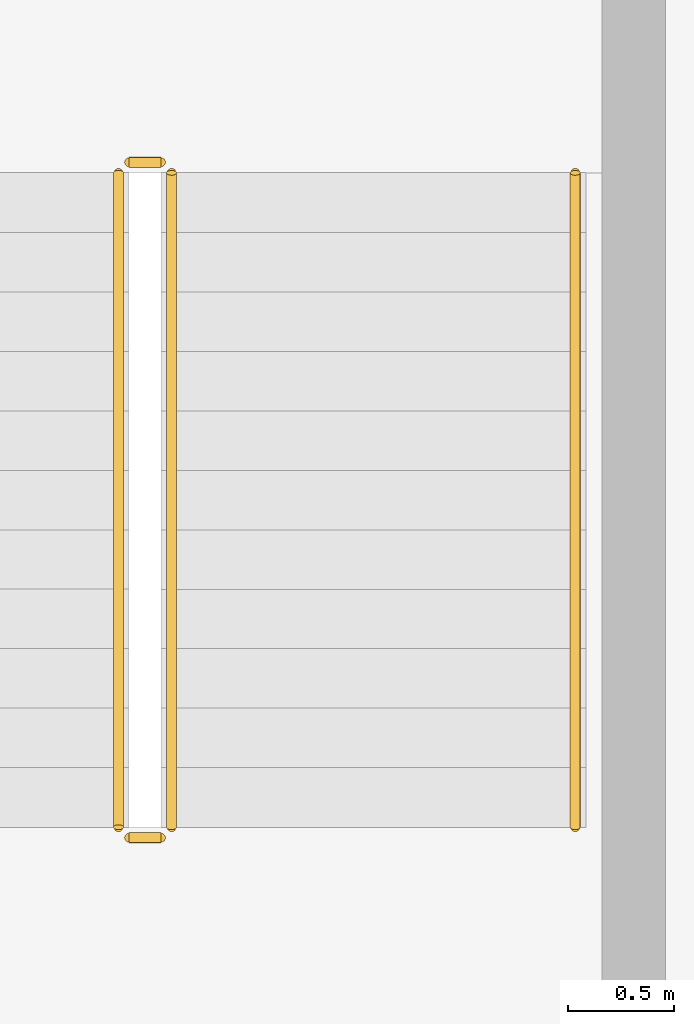
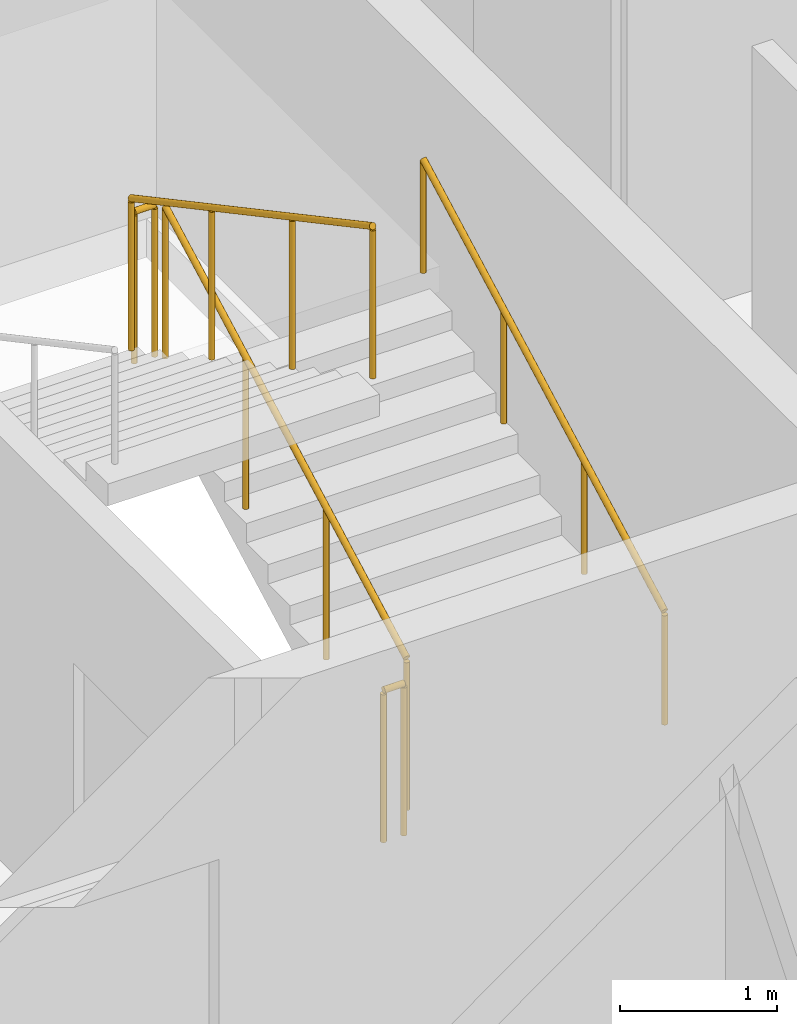
# One storey, part 15 of 15: 5 railings.
"""IFC4 building model written with IfcOpenShell, lengths in metres."""

from ifc_helpers import new_model, si_unit, direction, frame, origin, origin_2d, place, context, subcontext, project, spatial, circle, extrude, material, type_object, element, save


model = new_model("IFC4")

# Units and contexts
model_context = context("Model", 3, precision=1e-05, world=origin(), true_north=direction((0.0, 1.0)))
body_context = subcontext(model_context, "Body", "Model", "MODEL_VIEW")
ifc_project = project(units=[si_unit("LENGTHUNIT", "METRE"), si_unit("AREAUNIT", "SQUARE_METRE"), si_unit("VOLUMEUNIT", "CUBIC_METRE"), si_unit("PLANEANGLEUNIT", "RADIAN"), si_unit("MASSUNIT", "GRAM", prefix="KILO")], contexts=[model_context])

# Site, building, storey
site_placement = place(None, origin())
site = spatial("IfcSite", under=ifc_project, at=site_placement, CompositionType="ELEMENT")
building_placement = place(site_placement, origin())
building = spatial("IfcBuilding", under=site, at=building_placement, Name="Caravel Reach Hotel and Residences", CompositionType="ELEMENT")
storey_placement = place(building_placement, frame((0.0, 0.0, 60.0)))
storey = spatial("IfcBuildingStorey", under=building, at=storey_placement, Name="L13", CompositionType="ELEMENT", Elevation=60.0)

# Railings
ifc_material_1 = material(Name="Steel balustrade with glass infill", Category="steel")
railing_type_1 = type_object("IfcRailingType", Name="Guard 1200", PredefinedType="GUARDRAIL", material=ifc_material_1)
railing_1_placement = place(storey_placement, frame((42.824951171875, 24.64990234375, 0.14990234375)))
element("IfcRailing", 1, at=railing_1_placement, inside=storey, type_object=railing_type_1, Name="L13 ST-B stair guard 1", PredefinedType="GUARDRAIL", context=body_context, shape_type="SweptSolid", body=[
    extrude(circle(Radius=0.02392578125, at=origin_2d()), frame((0.0, 0.0, 1.17578125), z_axis=(0.0, 0.881467505477, 0.472244678941), x_axis=(-1.0, 0.0, 0.0)), (0.0, 0.0, 1.0), 3.494140625),
    extrude(circle(Radius=0.02099609375, at=origin_2d()), origin(), (0.0, 0.0, 1.0), 1.15185546875),
    extrude(circle(Radius=0.02099609375, at=origin_2d()), frame((0.0, 1.026611328125, 0.550048828125)), (0.0, 0.0, 1.0), 1.15185546875),
    extrude(circle(Radius=0.02099609375, at=origin_2d()), frame((0.0, 2.053466796875, 1.10009765625)), (0.0, 0.0, 1.0), 1.15185546875),
    extrude(circle(Radius=0.02099609375, at=origin_2d()), frame((0.0, 3.080078125, 1.650146484375)), (0.0, 0.0, 1.0), 1.15185546875),
])
railing_2_placement = place(storey_placement, frame((42.77490234375, 27.780029296875, 1.800048828125)))
element("IfcRailing", 2, at=railing_2_placement, inside=storey, type_object=railing_type_1, Name="L13 ST-B stair guard 2", PredefinedType="GUARDRAIL", context=body_context, shape_type="SweptSolid", body=[
    extrude(circle(Radius=0.02392578125, at=origin_2d()), frame((0.0, 0.0, 1.17578125), z_axis=(-1.0, 0.0, 0.0), x_axis=(0.0, -1.0, 0.0)), (0.0, 0.0, 1.0), 0.14990234375),
    extrude(circle(Radius=0.02099609375, at=origin_2d()), origin(), (0.0, 0.0, 1.0), 1.15185546875),
    extrude(circle(Radius=0.02099609375, at=origin_2d()), frame((-0.14990234375, 0.0, 0.0)), (0.0, 0.0, 1.0), 1.15185546875),
])
railing_3_placement = place(storey_placement, frame((42.574951171875, 27.72998046875, 1.949951171875)))
element("IfcRailing", 3, at=railing_3_placement, inside=storey, type_object=railing_type_1, Name="L13 ST-B stair guard 3", PredefinedType="GUARDRAIL", context=body_context, shape_type="SweptSolid", body=[
    extrude(circle(Radius=0.02392578125, at=origin_2d()), frame((0.0, 0.0, 1.17578125), z_axis=(0.0, -0.881467505477, 0.472244678941), x_axis=(1.0, 0.0, 0.0)), (0.0, 0.0, 1.0), 3.494140625),
    extrude(circle(Radius=0.02099609375, at=origin_2d()), origin(), (0.0, 0.0, 1.0), 1.15185546875),
    extrude(circle(Radius=0.02099609375, at=origin_2d()), frame((0.0, -1.026611328125, 0.550048828125)), (0.0, 0.0, 1.0), 1.15185546875),
    extrude(circle(Radius=0.02099609375, at=origin_2d()), frame((0.0, -2.053466796875, 1.10009765625)), (0.0, 0.0, 1.0), 1.15185546875),
    extrude(circle(Radius=0.02099609375, at=origin_2d()), frame((0.0, -3.080078125, 1.650146484375)), (0.0, 0.0, 1.0), 1.15185546875),
])
railing_4_placement = place(storey_placement, frame((42.77490234375, 24.60009765625, 0.0)))
element("IfcRailing", 4, at=railing_4_placement, inside=storey, type_object=railing_type_1, Name="L13 ST-B stair guard 4", PredefinedType="GUARDRAIL", context=body_context, shape_type="SweptSolid", body=[
    extrude(circle(Radius=0.02392578125, at=origin_2d()), frame((0.0, 0.0, 1.17578125), z_axis=(-1.0, 0.0, 0.0), x_axis=(0.0, -1.0, 0.0)), (0.0, 0.0, 1.0), 0.14990234375),
    extrude(circle(Radius=0.02099609375, at=origin_2d()), origin(), (0.0, 0.0, 1.0), 1.15185546875),
    extrude(circle(Radius=0.02099609375, at=origin_2d()), frame((-0.14990234375, 0.0, 0.0)), (0.0, 0.0, 1.0), 1.15185546875),
])
ifc_material_2 = material(Name="Stainless steel handrail", Category="steel")
railing_type_2 = type_object("IfcRailingType", Name="Handrail 900", PredefinedType="HANDRAIL", material=ifc_material_2)
railing_5_placement = place(storey_placement, frame((44.72509765625, 24.64990234375, 0.14990234375)))
element("IfcRailing", 5, at=railing_5_placement, inside=storey, type_object=railing_type_2, Name="L13 ST-B stair handrail 1", PredefinedType="HANDRAIL", context=body_context, shape_type="SweptSolid", body=[
    extrude(circle(Radius=0.02392578125, at=origin_2d()), frame((0.0, 0.0, 0.8759765625), z_axis=(0.0, 0.881467505477, 0.472244678941), x_axis=(-1.0, 0.0, 0.0)), (0.0, 0.0, 1.0), 3.494140625),
    extrude(circle(Radius=0.02099609375, at=origin_2d()), origin(), (0.0, 0.0, 1.0), 0.851806640625),
    extrude(circle(Radius=0.02099609375, at=origin_2d()), frame((0.0, 1.026611328125, 0.550048828125)), (0.0, 0.0, 1.0), 0.851806640625),
    extrude(circle(Radius=0.02099609375, at=origin_2d()), frame((0.0, 2.053466796875, 1.10009765625)), (0.0, 0.0, 1.0), 0.851806640625),
    extrude(circle(Radius=0.02099609375, at=origin_2d()), frame((0.0, 3.080078125, 1.650146484375)), (0.0, 0.0, 1.0), 0.851806640625),
])

save(model, "model.ifc")
